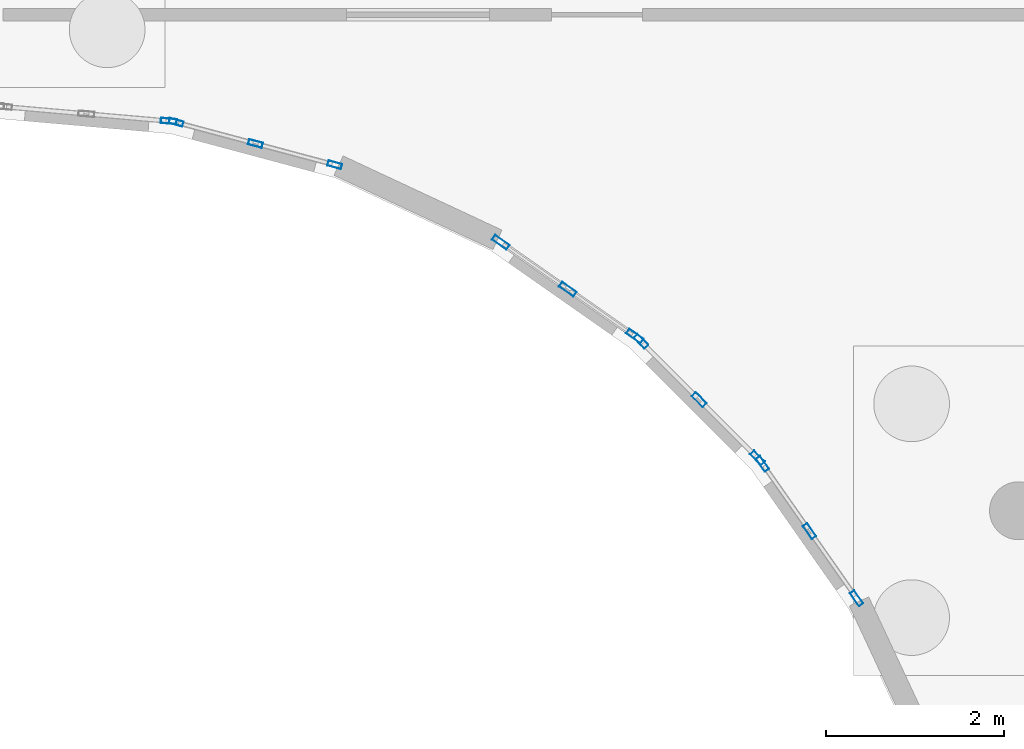
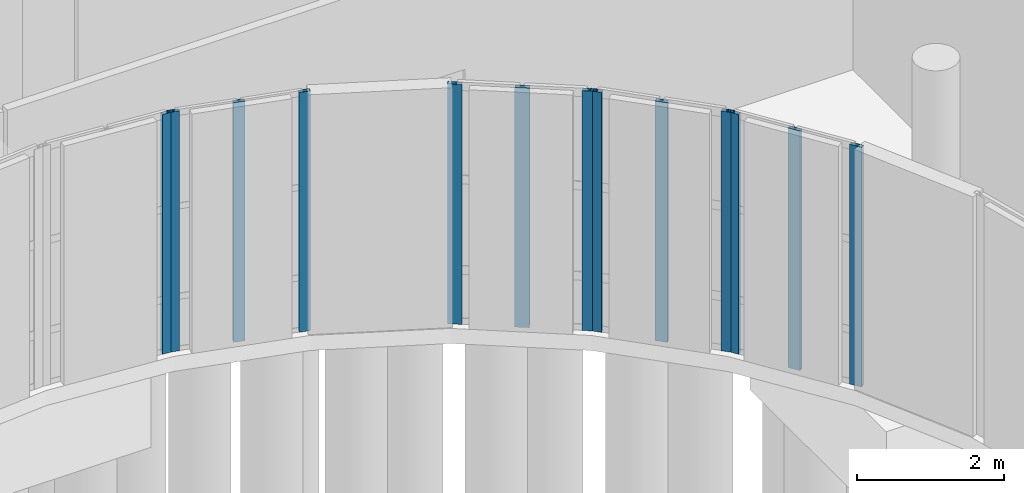
# One storey, part 36 of 93: 13 members, 5 elements without a shape of their own.
"""IFC4 building model written with IfcOpenShell, lengths in metres."""

from ifc_helpers import new_model, si_unit, direction, frame, origin, origin_2d, place, context, subcontext, project, spatial, hollow_rectangle, extrude, material, layer, layer_set, material_profile, profile_set, type_object, element, aggregate, save


model = new_model("IFC4")

# Units and contexts
model_context = context("Model", 3, precision=1e-05, world=origin(), true_north=direction((0.0, 1.0)))
body_context = subcontext(model_context, "Body", "Model", "MODEL_VIEW")
ifc_project = project(units=[si_unit("LENGTHUNIT", "METRE"), si_unit("AREAUNIT", "SQUARE_METRE"), si_unit("VOLUMEUNIT", "CUBIC_METRE"), si_unit("PLANEANGLEUNIT", "RADIAN"), si_unit("MASSUNIT", "GRAM", prefix="KILO")], contexts=[model_context])

# Site, building, storey
site_placement = place(None, origin())
site = spatial("IfcSite", under=ifc_project, at=site_placement, CompositionType="ELEMENT")
building_placement = place(site_placement, origin())
building = spatial("IfcBuilding", under=site, at=building_placement, Name="Kelanivale Promenade Academy", CompositionType="ELEMENT")
storey_placement = place(building_placement, origin())
storey = spatial("IfcBuildingStorey", under=building, at=storey_placement, Name="L00", CompositionType="ELEMENT", Elevation=0.0)

# Curtain wall, members
ifc_material_1 = material(Name="Bronze anodised aluminium and solar-control low-E glass", Category="aluminium")
ifc_layer_1 = layer(ifc_material_1, 0.179931640625)
ifc_layer_set_1 = layer_set([ifc_layer_1], Name="Bronze anodised aluminium and solar-control low-E glass")
curtain_wall_type_1 = type_object("IfcCurtainWallType", Name="CW-05 Curtain Wall 1950mm Module", PredefinedType="USERDEFINED", material=ifc_layer_set_1)
curtain_wall_1_placement = place(storey_placement, origin())
curtain_wall_1 = element("IfcCurtainWall", 1, at=curtain_wall_1_placement, inside=storey, type_object=curtain_wall_type_1, Name="L00 courtyard curtain wall CW-05", ObjectType="UNITISED GLAZING", PredefinedType="USERDEFINED")
ifc_material_2 = material(Name="Bronze anodised aluminium EN AW-6063 T6", Category="aluminium")
ifc_material_profile_1 = material_profile(ifc_material_2, hollow_rectangle(XDim=0.06005859375, YDim=0.159912109375, WallThickness=0.00390625, at=origin_2d()), Name="ALU 60x160x4.0")
ifc_profile_set_1 = profile_set([ifc_material_profile_1], Name="Bronze anodised aluminium EN AW-6063 T6")
member_type_1 = type_object("IfcMemberType", Name="CWM-01 ALU 60x160x4.0", PredefinedType="MULLION", material=ifc_profile_set_1)
member_1_placement = place(storey_placement, frame((67.155029296875, 67.28369140625, 0.0), z_axis=(0.0, 0.0, 1.0), x_axis=(-0.258578458902, -0.965990259056, 0.0)))
member_1 = element("IfcMember", 2, at=member_1_placement, type_object=member_type_1, Name="CW-05 mullion 1", PredefinedType="MULLION", context=body_context, shape_type="SweptSolid", body=[
    extrude(hollow_rectangle(XDim=0.06005859375, YDim=0.159912109375, WallThickness=0.00390625, at=origin_2d()), origin(), (0.0, 0.0, 1.0), 3.97998046875),
])
member_2_placement = place(storey_placement, frame((66.264892578125, 67.52197265625, 0.0), z_axis=(0.0, 0.0, 1.0), x_axis=(-0.258578458902, -0.965990259056, 0.0)))
member_2 = element("IfcMember", 3, at=member_2_placement, type_object=member_type_1, Name="CW-05 mullion 2", PredefinedType="MULLION", context=body_context, shape_type="SweptSolid", body=[
    extrude(hollow_rectangle(XDim=0.06005859375, YDim=0.159912109375, WallThickness=0.00390625, at=origin_2d()), origin(), (0.0, 0.0, 1.0), 3.97998046875),
])
member_3_placement = place(storey_placement, frame((65.375, 67.76025390625, 0.0), z_axis=(0.0, 0.0, 1.0), x_axis=(-0.258578458902, -0.965990259056, 0.0)))
member_3 = element("IfcMember", 4, at=member_3_placement, type_object=member_type_1, Name="CW-05 mullion 3", PredefinedType="MULLION", context=body_context, shape_type="SweptSolid", body=[
    extrude(hollow_rectangle(XDim=0.06005859375, YDim=0.159912109375, WallThickness=0.00390625, at=origin_2d()), origin(), (0.0, 0.0, 1.0), 3.97998046875),
])
aggregate(curtain_wall_1, [member_1, member_2, member_3])

ifc_layer_2 = layer(ifc_material_1, 0.179931640625)
ifc_layer_set_2 = layer_set([ifc_layer_2], Name="Bronze anodised aluminium and solar-control low-E glass")
curtain_wall_type_2 = type_object("IfcCurtainWallType", Name="CW-02 Curtain Wall 1500mm Module", PredefinedType="USERDEFINED", material=ifc_layer_set_2)
curtain_wall_2_placement = place(storey_placement, origin())
curtain_wall_2 = element("IfcCurtainWall", 5, at=curtain_wall_2_placement, inside=storey, type_object=curtain_wall_type_2, Name="L00 courtyard curtain wall CW-02", ObjectType="UNITISED GLAZING", PredefinedType="USERDEFINED")
ifc_material_profile_2 = material_profile(ifc_material_2, hollow_rectangle(XDim=0.06005859375, YDim=0.179931640625, WallThickness=0.00390625, at=origin_2d()), Name="ALU 60x180x4.0")
ifc_profile_set_2 = profile_set([ifc_material_profile_2], Name="Bronze anodised aluminium EN AW-6063 T6")
member_type_2 = type_object("IfcMemberType", Name="CWM-02 ALU 60x180x4.0", PredefinedType="MULLION", material=ifc_profile_set_2)
member_4_placement = place(storey_placement, frame((73.014892578125, 62.41650390625, 0.0), z_axis=(0.0, 0.0, 1.0), x_axis=(-0.819305982099, -0.573356527561, 0.0)))
member_4 = element("IfcMember", 6, at=member_4_placement, type_object=member_type_2, Name="CW-02 mullion 1", PredefinedType="MULLION", context=body_context, shape_type="SweptSolid", body=[
    extrude(hollow_rectangle(XDim=0.06005859375, YDim=0.179931640625, WallThickness=0.00390625, at=origin_2d()), origin(), (0.0, 0.0, 1.0), 3.97998046875),
])
member_5_placement = place(storey_placement, frame((72.486572265625, 63.17138671875, 0.0), z_axis=(0.0, 0.0, 1.0), x_axis=(-0.819305982099, -0.573356527561, 0.0)))
member_5 = element("IfcMember", 7, at=member_5_placement, type_object=member_type_2, Name="CW-02 mullion 2", PredefinedType="MULLION", context=body_context, shape_type="SweptSolid", body=[
    extrude(hollow_rectangle(XDim=0.06005859375, YDim=0.179931640625, WallThickness=0.00390625, at=origin_2d()), origin(), (0.0, 0.0, 1.0), 3.97998046875),
])
member_6_placement = place(storey_placement, frame((71.958251953125, 63.926513671875, 0.0), z_axis=(0.0, 0.0, 1.0), x_axis=(-0.819305982099, -0.573356527561, 0.0)))
member_6 = element("IfcMember", 8, at=member_6_placement, type_object=member_type_2, Name="CW-02 mullion 3", PredefinedType="MULLION", context=body_context, shape_type="SweptSolid", body=[
    extrude(hollow_rectangle(XDim=0.06005859375, YDim=0.179931640625, WallThickness=0.00390625, at=origin_2d()), origin(), (0.0, 0.0, 1.0), 3.97998046875),
])
aggregate(curtain_wall_2, [member_4, member_5, member_6])

# Curtain wall, member
ifc_layer_3 = layer(ifc_material_1, 0.159912109375)
ifc_layer_set_3 = layer_set([ifc_layer_3], Name="Bronze anodised aluminium and solar-control low-E glass")
curtain_wall_type_3 = type_object("IfcCurtainWallType", Name="CW-06 Curtain Wall 1200mm Module", PredefinedType="USERDEFINED", material=ifc_layer_set_3)
curtain_wall_3_placement = place(storey_placement, origin())
curtain_wall_3 = element("IfcCurtainWall", 9, at=curtain_wall_3_placement, inside=storey, type_object=curtain_wall_type_3, Name="L00 courtyard curtain wall CW-06", ObjectType="UNITISED GLAZING", PredefinedType="USERDEFINED")
member_7_placement = place(storey_placement, frame((65.2919921875, 67.774658203125, 0.0), z_axis=(0.0, 0.0, 1.0), x_axis=(-0.087102249164, -0.996199376727, 0.0)))
member_7 = element("IfcMember", 10, at=member_7_placement, type_object=member_type_2, Name="CW-06 mullion 1", PredefinedType="MULLION", context=body_context, shape_type="SweptSolid", body=[
    extrude(hollow_rectangle(XDim=0.06005859375, YDim=0.179931640625, WallThickness=0.00390625, at=origin_2d()), origin(), (0.0, 0.0, 1.0), 3.97998046875),
])
aggregate(curtain_wall_3, [member_7])

# Curtain wall, members
ifc_layer_4 = layer(ifc_material_1, 0.159912109375)
ifc_layer_set_4 = layer_set([ifc_layer_4], Name="Bronze anodised aluminium and solar-control low-E glass")
curtain_wall_type_4 = type_object("IfcCurtainWallType", Name="CW-03 Curtain Wall 1650mm Module", PredefinedType="USERDEFINED", material=ifc_layer_set_4)
curtain_wall_4_placement = place(storey_placement, origin())
curtain_wall_4 = element("IfcCurtainWall", 11, at=curtain_wall_4_placement, inside=storey, type_object=curtain_wall_type_4, Name="L00 courtyard curtain wall CW-03", ObjectType="UNITISED GLAZING", PredefinedType="USERDEFINED")
ifc_material_profile_3 = material_profile(ifc_material_2, hollow_rectangle(XDim=0.06494140625, YDim=0.175048828125, WallThickness=0.00390625, at=origin_2d()), Name="ALU 65x175x4.0")
ifc_profile_set_3 = profile_set([ifc_material_profile_3], Name="Bronze anodised aluminium EN AW-6063 T6")
member_type_3 = type_object("IfcMemberType", Name="CWM-03 ALU 65x175x4.0", PredefinedType="MULLION", material=ifc_profile_set_3)
member_8_placement = place(storey_placement, frame((71.902099609375, 63.992919921875, 0.0), z_axis=(0.0, 0.0, 1.0), x_axis=(-0.707106781187, -0.707106781187, 0.0)))
member_8 = element("IfcMember", 12, at=member_8_placement, type_object=member_type_3, Name="CW-03 mullion 1", PredefinedType="MULLION", context=body_context, shape_type="SweptSolid", body=[
    extrude(hollow_rectangle(XDim=0.06494140625, YDim=0.175048828125, WallThickness=0.00390625, at=origin_2d()), origin(), (0.0, 0.0, 1.0), 3.97998046875),
])
member_9_placement = place(storey_placement, frame((71.24755859375, 64.6474609375, 0.0), z_axis=(0.0, 0.0, 1.0), x_axis=(-0.707106781187, -0.707106781187, 0.0)))
member_9 = element("IfcMember", 13, at=member_9_placement, type_object=member_type_3, Name="CW-03 mullion 2", PredefinedType="MULLION", context=body_context, shape_type="SweptSolid", body=[
    extrude(hollow_rectangle(XDim=0.06494140625, YDim=0.175048828125, WallThickness=0.00390625, at=origin_2d()), origin(), (0.0, 0.0, 1.0), 3.97998046875),
])
member_10_placement = place(storey_placement, frame((70.593017578125, 65.302001953125, 0.0), z_axis=(0.0, 0.0, 1.0), x_axis=(-0.707106781187, -0.707106781187, 0.0)))
member_10 = element("IfcMember", 14, at=member_10_placement, type_object=member_type_3, Name="CW-03 mullion 3", PredefinedType="MULLION", context=body_context, shape_type="SweptSolid", body=[
    extrude(hollow_rectangle(XDim=0.06494140625, YDim=0.175048828125, WallThickness=0.00390625, at=origin_2d()), origin(), (0.0, 0.0, 1.0), 3.97998046875),
])
aggregate(curtain_wall_4, [member_8, member_9, member_10])

ifc_layer_5 = layer(ifc_material_1, 0.169921875)
ifc_layer_set_5 = layer_set([ifc_layer_5], Name="Bronze anodised aluminium and solar-control low-E glass")
curtain_wall_type_5 = type_object("IfcCurtainWallType", Name="CW-04 Curtain Wall 1800mm Module", PredefinedType="USERDEFINED", material=ifc_layer_set_5)
curtain_wall_5_placement = place(storey_placement, origin())
curtain_wall_5 = element("IfcCurtainWall", 15, at=curtain_wall_5_placement, inside=storey, type_object=curtain_wall_type_5, Name="L00 courtyard curtain wall CW-04", ObjectType="UNITISED GLAZING", PredefinedType="USERDEFINED")
ifc_material_profile_4 = material_profile(ifc_material_2, hollow_rectangle(XDim=0.06494140625, YDim=0.199951171875, WallThickness=0.00439453125, at=origin_2d()), Name="ALU 65x200x4.5")
ifc_profile_set_4 = profile_set([ifc_material_profile_4], Name="Bronze anodised aluminium EN AW-6063 T6")
member_type_4 = type_object("IfcMemberType", Name="CWM-04 ALU 65x200x4.5", PredefinedType="MULLION", material=ifc_profile_set_4)
member_11_placement = place(storey_placement, frame((70.5244140625, 65.359619140625, 0.0), z_axis=(0.0, 0.0, 1.0), x_axis=(-0.573356527561, -0.819305982099, 0.0)))
member_11 = element("IfcMember", 16, at=member_11_placement, type_object=member_type_4, Name="CW-04 mullion 1", PredefinedType="MULLION", context=body_context, shape_type="SweptSolid", body=[
    extrude(hollow_rectangle(XDim=0.06494140625, YDim=0.199951171875, WallThickness=0.00439453125, at=origin_2d()), origin(), (0.0, 0.0, 1.0), 3.97998046875),
])
member_12_placement = place(storey_placement, frame((69.771484375, 65.886474609375, 0.0), z_axis=(0.0, 0.0, 1.0), x_axis=(-0.573356527561, -0.819305982099, 0.0)))
member_12 = element("IfcMember", 17, at=member_12_placement, type_object=member_type_4, Name="CW-04 mullion 2", PredefinedType="MULLION", context=body_context, shape_type="SweptSolid", body=[
    extrude(hollow_rectangle(XDim=0.06494140625, YDim=0.199951171875, WallThickness=0.00439453125, at=origin_2d()), origin(), (0.0, 0.0, 1.0), 3.97998046875),
])
member_13_placement = place(storey_placement, frame((69.0185546875, 66.413330078125, 0.0), z_axis=(0.0, 0.0, 1.0), x_axis=(-0.573356527561, -0.819305982099, 0.0)))
member_13 = element("IfcMember", 18, at=member_13_placement, type_object=member_type_4, Name="CW-04 mullion 3", PredefinedType="MULLION", context=body_context, shape_type="SweptSolid", body=[
    extrude(hollow_rectangle(XDim=0.06494140625, YDim=0.199951171875, WallThickness=0.00439453125, at=origin_2d()), origin(), (0.0, 0.0, 1.0), 3.97998046875),
])
aggregate(curtain_wall_5, [member_11, member_12, member_13])

save(model, "model.ifc")
